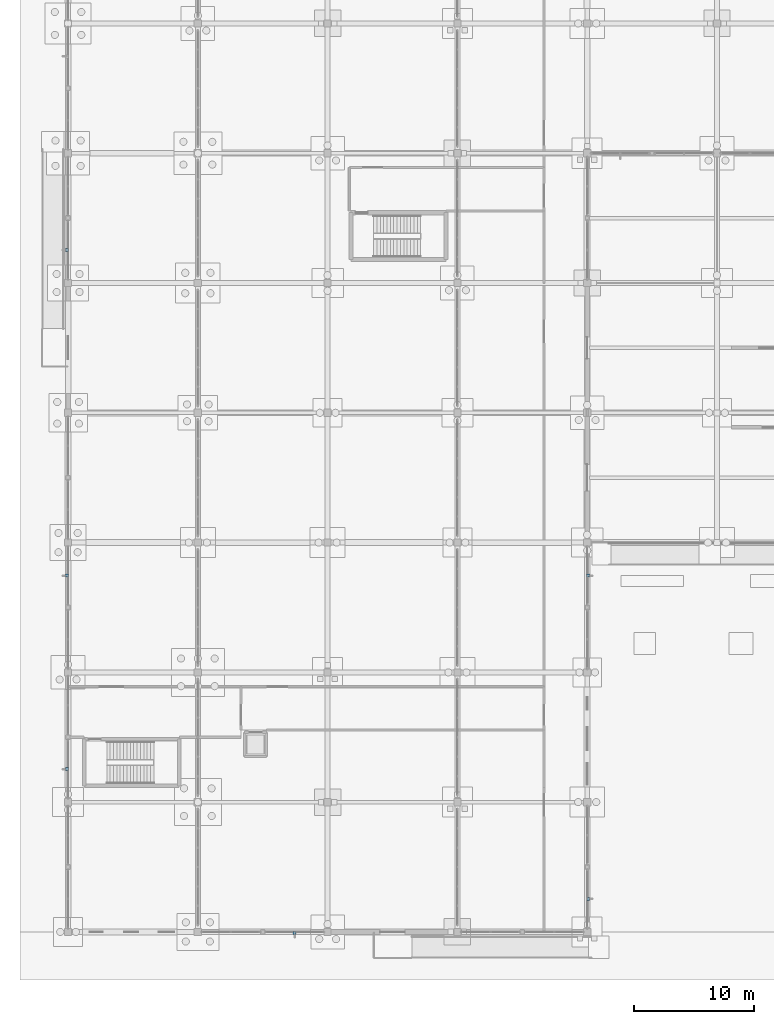
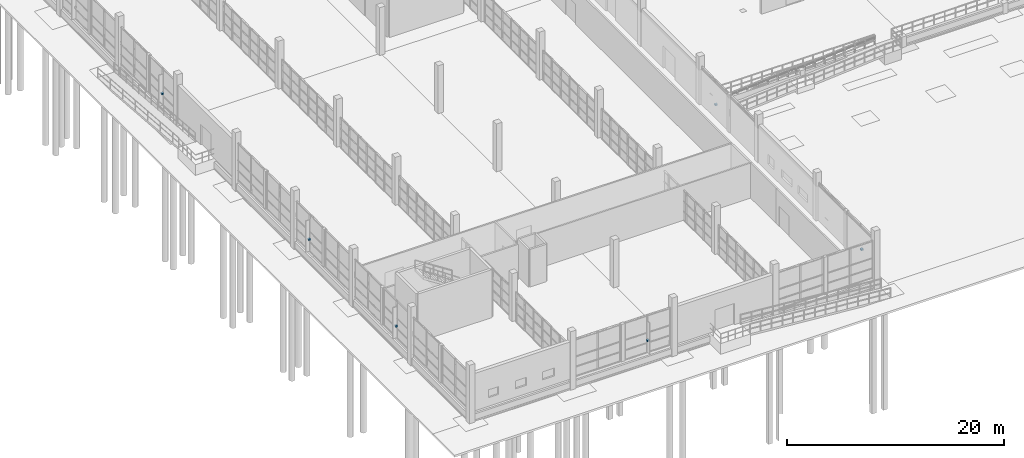
# One storey, part 119 of 138: 6 discrete accessories.
"""IFC4 building model written with IfcOpenShell, lengths in metres."""

from ifc_helpers import new_model, si_unit, direction, frame, origin, origin_2d, place, context, subcontext, project, spatial, rectangle, extrude, material, type_object, element, save


model = new_model("IFC4")

# Units and contexts
model_context = context("Model", 3, precision=1e-05, world=origin(), true_north=direction((0.0, 1.0)))
body_context = subcontext(model_context, "Body", "Model", "MODEL_VIEW")
ifc_project = project(units=[si_unit("LENGTHUNIT", "METRE"), si_unit("AREAUNIT", "SQUARE_METRE"), si_unit("VOLUMEUNIT", "CUBIC_METRE"), si_unit("PLANEANGLEUNIT", "RADIAN"), si_unit("MASSUNIT", "GRAM", prefix="KILO")], contexts=[model_context])

# Site, building, storey
site_placement = place(None, origin())
site = spatial("IfcSite", under=ifc_project, at=site_placement, CompositionType="ELEMENT")
building_placement = place(site_placement, origin())
building = spatial("IfcBuilding", under=site, at=building_placement, Name="Zwinboog Wholesale Market", CompositionType="ELEMENT")
storey_placement = place(building_placement, origin())
storey = spatial("IfcBuildingStorey", under=building, at=storey_placement, Name="L00", CompositionType="ELEMENT", Elevation=0.0)

# Discrete accessories
ifc_material = material(Name="Steel S355", Category="steel")
discrete_accessory_type = type_object("IfcDiscreteAccessoryType", Name="ACC-BRK-S355", PredefinedType="BRACKET", material=ifc_material)
for number, where, z_axis, x_axis, name in (
    (1, (-0.090087890625, 13.547607421875, 1.31005859375), (0.0, 0.0, 1.0), (1.0, 0.0, 0.0), "BK-01 (ACC-FBRK-001)"),
    (2, (-0.074951171875, 29.652587890625, 1.31005859375), (0.0, 0.0, 1.0), (1.0, 0.0, 0.0), "BK-01 (ACC-FBRK-002)"),
    (3, (-0.090087890625, 56.74755859375, 1.31005859375), (0.0, 0.0, 1.0), (1.0, 0.0, 0.0), "BK-01 (ACC-FBRK-003)"),
    (4, (18.8525390625, -0.074951171875, 1.31005859375), (0.0, 0.0, 1.0), (1.0, 0.0, 0.0), "BK-01 (ACC-FBRK-006)"),
    (5, (43.2900390625, 2.74755859375, 1.31005859375), (0.0, 0.0, 1.0), (1.0, 0.0, 0.0), "BK-01 (ACC-FBRK-007)"),
    (6, (43.27490234375, 29.652587890625, 1.31005859375), (0.0, 0.0, 1.0), (1.0, 0.0, 0.0), "BK-01 (ACC-FBRK-008)"),
):
    element("IfcDiscreteAccessory", number, at=place(storey_placement, frame(where, z_axis=z_axis, x_axis=x_axis)), inside=storey, type_object=discrete_accessory_type, Name=name, PredefinedType="BRACKET", context=body_context, shape_type="SweptSolid", body=[
        extrude(rectangle(XDim=0.239990234375, YDim=0.239990234375, at=origin_2d()), origin(), (0.0, 0.0, 1.0), 0.179931640625),
    ])

save(model, "model.ifc")
